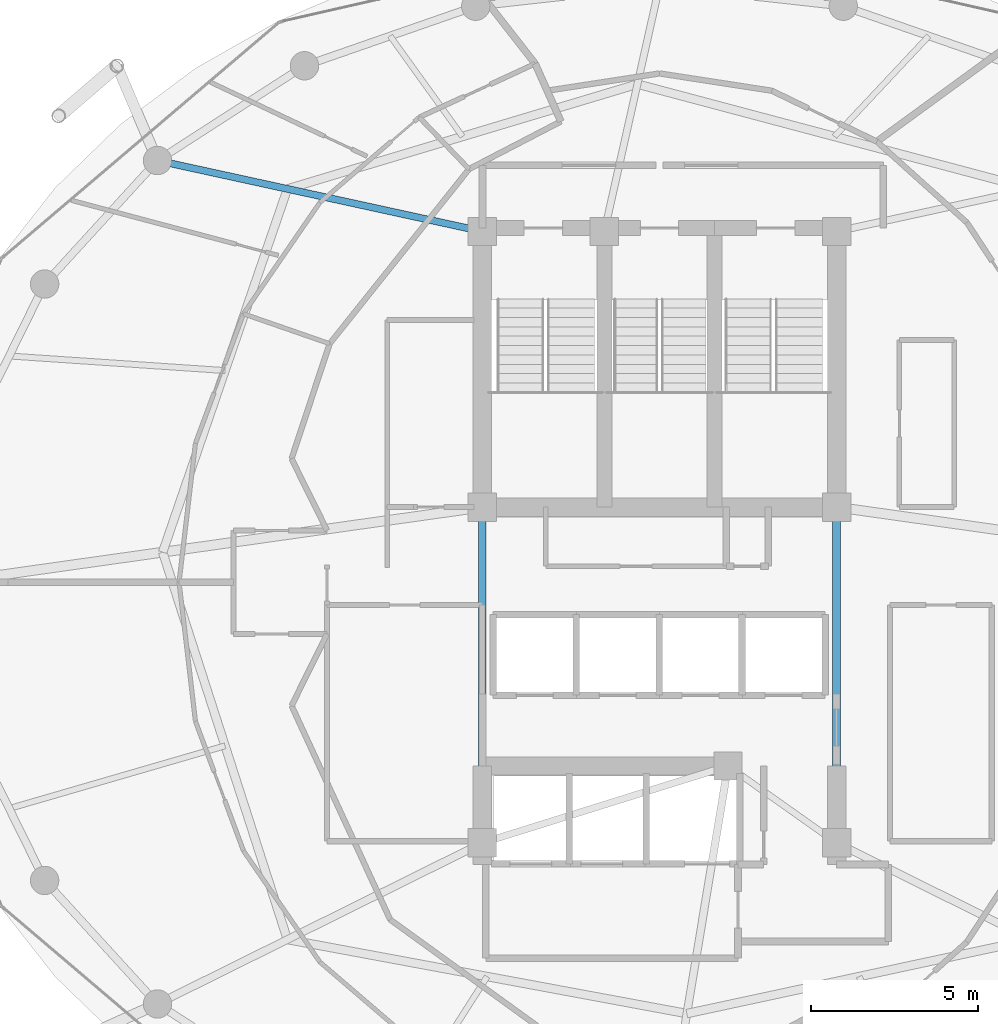
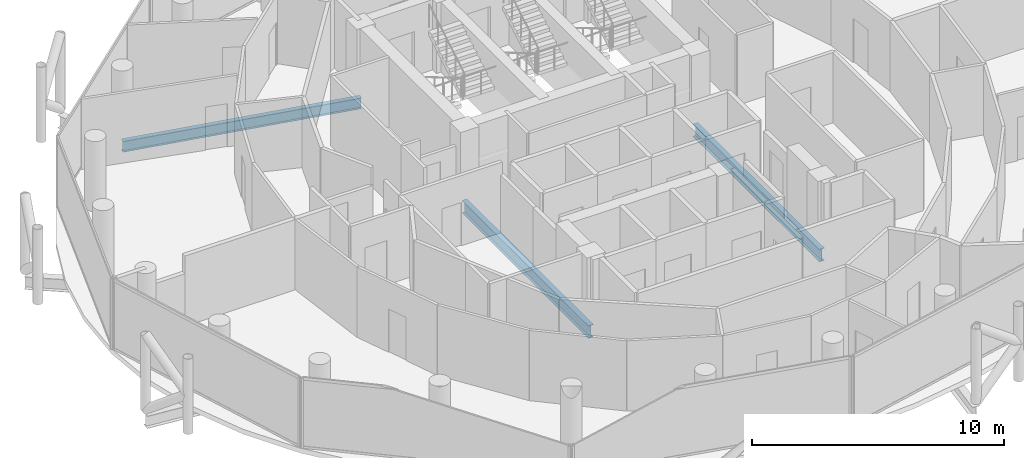
# One storey, part 10 of 28: 3 beams.
"""IFC4 building model written with IfcOpenShell, lengths in metres."""

from ifc_helpers import new_model, si_unit, direction, frame, origin, origin_2d, place, context, subcontext, project, spatial, i_section, extrude, material, material_profile, profile_set, type_object, element, save


model = new_model("IFC4")

# Units and contexts
model_context = context("Model", 3, precision=1e-05, world=origin(), true_north=direction((0.0, 1.0)))
body_context = subcontext(model_context, "Body", "Model", "MODEL_VIEW")
ifc_project = project(units=[si_unit("LENGTHUNIT", "METRE"), si_unit("AREAUNIT", "SQUARE_METRE"), si_unit("VOLUMEUNIT", "CUBIC_METRE"), si_unit("PLANEANGLEUNIT", "RADIAN"), si_unit("MASSUNIT", "GRAM", prefix="KILO")], contexts=[model_context])

# Site, building, storey
site_placement = place(None, origin())
site = spatial("IfcSite", under=ifc_project, at=site_placement, CompositionType="ELEMENT")
building_placement = place(site_placement, origin())
building = spatial("IfcBuilding", under=site, at=building_placement, Name="Nuhasar Tower", CompositionType="ELEMENT")
storey_placement = place(building_placement, frame((0.0, 0.0, 222.75)))
storey = spatial("IfcBuildingStorey", under=building, at=storey_placement, Name="L54", CompositionType="ELEMENT", Elevation=222.75)

# Beams
ifc_material = material(Name="Steel S355", Category="steel")
ifc_material_profile_1 = material_profile(ifc_material, i_section(OverallWidth=0.208984375, OverallDepth=0.528076171875, WebThickness=0.009521484375, FlangeThickness=0.01318359375, at=origin_2d()), Name="W21X55")
ifc_profile_set_1 = profile_set([ifc_material_profile_1], Name="Steel S355")
beam_type_1 = type_object("IfcBeamType", Name="BM-RAD-W21X55", PredefinedType="BEAM", material=ifc_profile_set_1)
beam_placement = place(storey_placement, frame((33.699951171875, 37.300048828125, -0.50390625), z_axis=(-0.977014275474, 0.213173885644, 0.0), x_axis=(-0.213173885644, -0.977014275474, 0.0)))
element("IfcBeam", 1, at=beam_placement, inside=storey, type_object=beam_type_1, Name="L54 Radial Floor Girder 07", PredefinedType="BEAM", context=body_context, shape_type="SweptSolid", body=[
    extrude(i_section(OverallWidth=0.208984375, OverallDepth=0.528076171875, WebThickness=0.009521484375, FlangeThickness=0.01318359375, at=origin_2d()), origin(), (0.0, 0.0, 1.0), 9.95458984375),
])
ifc_material_profile_2 = material_profile(ifc_material, i_section(OverallWidth=0.22900390625, OverallDepth=0.612060546875, WebThickness=0.011962890625, FlangeThickness=0.01953125, at=origin_2d()), Name="W24X84")
ifc_profile_set_2 = profile_set([ifc_material_profile_2], Name="Steel S355")
beam_type_2 = type_object("IfcBeamType", Name="BM-RAD-W24X84", PredefinedType="BEAM", material=ifc_profile_set_2)
for number, where, z_axis, x_axis, name in (
    (2, (44.300048828125, 19.0, -0.5458984375), (0.0, 1.0, 0.0), (-1.0, 0.0, 0.0), "L54 Core Ring Girder 3"),
    (3, (33.699951171875, 29.050048828125, -0.5458984375), (0.0, -1.0, 0.0), (1.0, 0.0, 0.0), "L54 Core Ring Girder 8"),
):
    element("IfcBeam", number, at=place(storey_placement, frame(where, z_axis=z_axis, x_axis=x_axis)), inside=storey, type_object=beam_type_2, Name=name, PredefinedType="BEAM", context=body_context, shape_type="SweptSolid", body=[
        extrude(i_section(OverallWidth=0.22900390625, OverallDepth=0.612060546875, WebThickness=0.011962890625, FlangeThickness=0.01953125, at=origin_2d()), origin(), (0.0, 0.0, 1.0), 10.050048828125),
    ])

save(model, "model.ifc")
